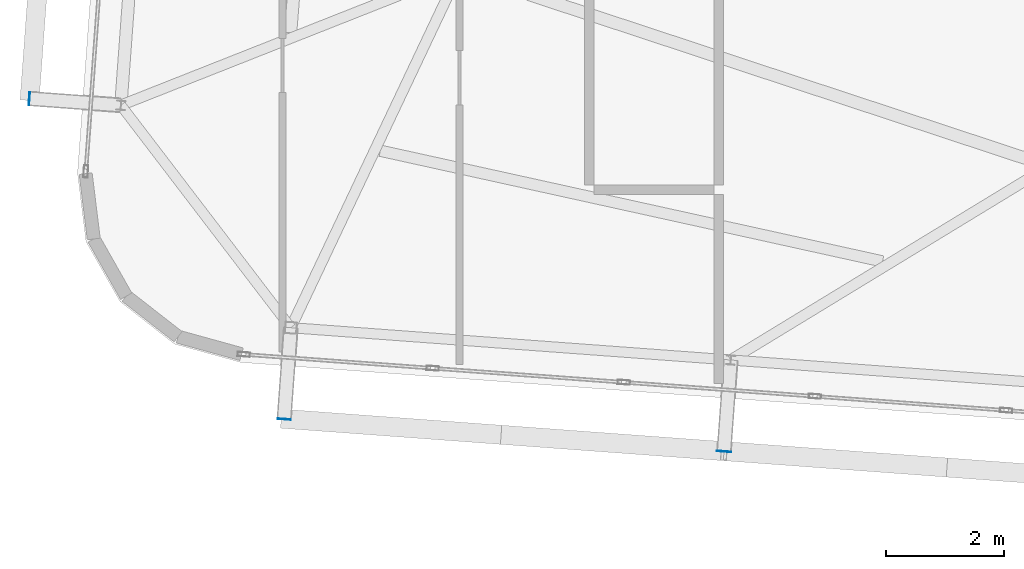
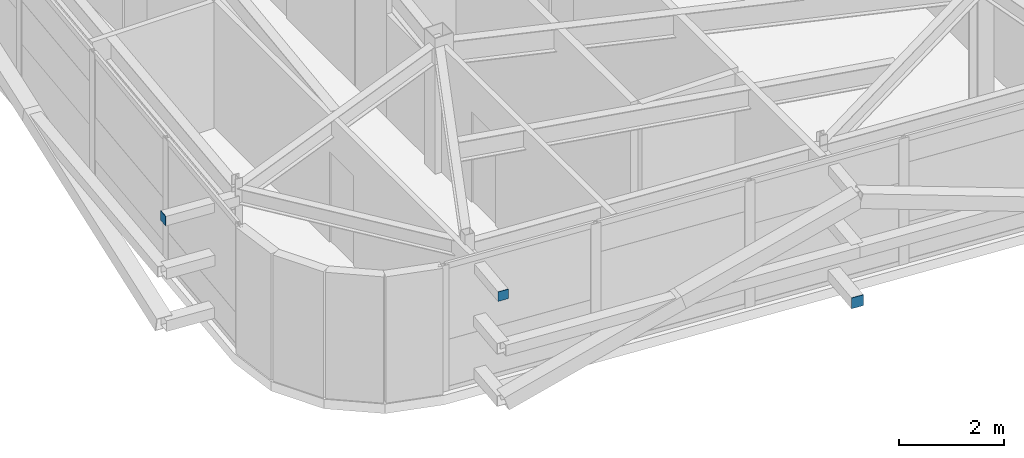
# One storey, part 31 of 42: 3 plates.
"""IFC4 building model written with IfcOpenShell, lengths in metres."""

import ifcopenshell
import ifcopenshell.guid

model = None  # the IFC model being written
_history = None  # IfcOwnerHistory: only IFC2X3 demands one
_inside = {}  # id of a spatial element -> (the spatial element, [elements in it])
_under = {}  # id of a project, library or spatial element -> (it, [spatial elements below it])
_declared = {}  # id of a project -> (the project, [libraries it declares])
_typed = {}  # id of a type object -> (the type object, [elements of that type])
_made_of = {}  # id of a material, layer set ... -> (it, [elements and type objects made of it])


def new_model(schema):
    """Start an empty IFC model of exactly this schema.

    Asked for "IFC4X3", IfcOpenShell would pick the latest addendum, in which some entities
    have other attributes; the version numbers below select the first issue.
    IFC2X3 requires an IfcOwnerHistory on every rooted entity: one is made here for all.
    """
    global model, _history
    if schema == "IFC4X3":
        model = ifcopenshell.file(schema_version=(4, 3, 0, 0))
    else:
        model = ifcopenshell.file(schema=schema)
    _inside.clear()
    _under.clear()
    _declared.clear()
    _typed.clear()
    _made_of.clear()
    _history = None
    if model.schema == "IFC2X3":
        org = make("IfcOrganization", Name="unknown")
        user = make(
            "IfcPersonAndOrganization",
            ThePerson=make("IfcPerson", FamilyName="unknown"),
            TheOrganization=org,
        )
        app = make(
            "IfcApplication",
            ApplicationDeveloper=org,
            Version="unknown",
            ApplicationFullName="unknown",
            ApplicationIdentifier="unknown",
        )
        _history = make(
            "IfcOwnerHistory",
            OwningUser=user,
            OwningApplication=app,
            ChangeAction="ADDED",
            CreationDate=0,
        )
    return model


def make(cls, **values):
    """One entity of the class cls with the attributes given. An attribute that is None is left unset."""
    return model.create_entity(
        cls, **{name: value for name, value in values.items() if value is not None}
    )


def rooted(cls, **values):
    """An entity with a GlobalId (a new one), such as an element, a storey or a relation."""
    return make(cls, GlobalId=ifcopenshell.guid.new(), OwnerHistory=_history, **values)


def si_unit(unit_type, name, prefix=None):
    """IfcSIUnit, for example si_unit("LENGTHUNIT", "METRE", prefix="MILLI")."""
    return make("IfcSIUnit", UnitType=unit_type, Prefix=prefix, Name=name)


def assignment(units):
    """IfcUnitAssignment: the units of a project."""
    return None if units is None else make("IfcUnitAssignment", Units=units)


def point(xyz):
    """IfcCartesianPoint."""
    return None if xyz is None else make("IfcCartesianPoint", Coordinates=xyz)


def direction(xyz):
    """IfcDirection."""
    return None if xyz is None else make("IfcDirection", DirectionRatios=xyz)


def frame(location, z_axis=None, x_axis=None):
    """IfcAxis2Placement3D, a coordinate frame: its origin and axes. An axis left out is left unset."""
    return make(
        "IfcAxis2Placement3D",
        Location=point(location),
        Axis=direction(z_axis),
        RefDirection=direction(x_axis),
    )


def frame_2d(location, x_axis=None):
    """IfcAxis2Placement2D, a coordinate frame in the plane: its origin and x axis."""
    return make(
        "IfcAxis2Placement2D", Location=point(location), RefDirection=direction(x_axis)
    )


def origin():
    """The frame at (0, 0, 0) with its axes left unset."""
    return frame((0.0, 0.0, 0.0))


def origin_2d():
    """The frame at (0, 0) in the plane with its x axis left unset."""
    return frame_2d((0.0, 0.0))


def place(relative_to, where):
    """IfcLocalPlacement: puts the frame where relative to a parent placement (None: the world)."""
    return make(
        "IfcLocalPlacement", PlacementRelTo=relative_to, RelativePlacement=where
    )


def context(
    kind, dimensions, precision=None, world=None, true_north=None, identifier=None
):
    """IfcGeometricRepresentationContext, for example the 3D "Model" context."""
    return make(
        "IfcGeometricRepresentationContext",
        ContextIdentifier=identifier,
        ContextType=kind,
        CoordinateSpaceDimension=dimensions,
        Precision=precision,
        WorldCoordinateSystem=world,
        TrueNorth=true_north,
    )


def subcontext(parent, identifier, kind, view, scale=None):
    """IfcGeometricRepresentationSubContext, for example "Body" below "Model"."""
    return make(
        "IfcGeometricRepresentationSubContext",
        ContextIdentifier=identifier,
        ContextType=kind,
        ParentContext=parent,
        TargetScale=scale,
        TargetView=view,
    )


def project(units=None, contexts=None):
    """IfcProject with its units and contexts."""
    return rooted(
        "IfcProject",
        Name="project",
        RepresentationContexts=contexts,
        UnitsInContext=assignment(units),
    )


def spatial(cls, under=None, at=None, **own):
    """A site, building, storey or space (cls), placed at a placement, below another one or the project."""
    s = rooted(cls, ObjectPlacement=at, **own)
    if under is not None:
        _under.setdefault(under.id(), (under, []))[1].append(s)
    return s


def profile(cls, at=None, kind="AREA", **sizes):
    """A parametric profile (cls). Its sizes go by their IFC names, for example OverallWidth=200.0."""
    return make(cls, ProfileType=kind, Position=at, **sizes)


def rectangle(**sizes):
    """IfcRectangleProfileDef."""
    return profile("IfcRectangleProfileDef", **sizes)


def extrude(swept, where, along, depth):
    """IfcExtrudedAreaSolid: the profile swept, set in the frame where, extruded along a direction by depth."""
    return make(
        "IfcExtrudedAreaSolid",
        SweptArea=swept,
        Position=where,
        ExtrudedDirection=direction(along),
        Depth=depth,
    )


def shape(context_of_items, identifier, shape_type, items):
    """IfcShapeRepresentation: the items that make up one representation, for example the "Body"."""
    return make(
        "IfcShapeRepresentation",
        ContextOfItems=context_of_items,
        RepresentationIdentifier=identifier,
        RepresentationType=shape_type,
        Items=items,
    )


def source(mapping_origin, context_of_items, identifier, shape_type, items):
    """IfcRepresentationMap: a shape defined once, which mapped items show again and again."""
    return make(
        "IfcRepresentationMap",
        MappingOrigin=mapping_origin,
        MappedRepresentation=shape(context_of_items, identifier, shape_type, items),
    )


def transform(
    local_origin,
    x_axis=None,
    y_axis=None,
    z_axis=None,
    scale=None,
    scale2=None,
    scale3=None,
    uniform=True,
):
    """IfcCartesianTransformationOperator3D, or its non-uniform kind. x_axis, y_axis, z_axis: its Axis1, 2, 3."""
    if uniform:
        return make(
            "IfcCartesianTransformationOperator3D",
            Axis1=direction(x_axis),
            Axis2=direction(y_axis),
            LocalOrigin=point(local_origin),
            Scale=scale,
            Axis3=direction(z_axis),
        )
    return make(
        "IfcCartesianTransformationOperator3DnonUniform",
        Axis1=direction(x_axis),
        Axis2=direction(y_axis),
        LocalOrigin=point(local_origin),
        Scale=scale,
        Axis3=direction(z_axis),
        Scale2=scale2,
        Scale3=scale3,
    )


def mapped(mapping_source, mapping_target):
    """IfcMappedItem: shows the shape of a source again, moved by a transform."""
    return make(
        "IfcMappedItem", MappingSource=mapping_source, MappingTarget=mapping_target
    )


def material(Name=None, Category=None):
    """IfcMaterial."""
    return make("IfcMaterial", Name=Name, Category=Category)


def layer(
    of_material, thickness, ventilated=None, Name=None, Category=None, Priority=None
):
    """IfcMaterialLayer: one layer of a wall or slab, of a material (None: an air gap)."""
    return make(
        "IfcMaterialLayer",
        Material=of_material,
        LayerThickness=thickness,
        IsVentilated=ventilated,
        Name=Name,
        Category=Category,
        Priority=Priority,
    )


def layer_set(layers, Name=None):
    """IfcMaterialLayerSet."""
    return make("IfcMaterialLayerSet", MaterialLayers=layers, LayerSetName=Name)


def made_of(thing, what):
    """Note that an element or type object is made of a material, layer set ...; save() writes the relation."""
    if what is not None:
        _made_of.setdefault(what.id(), (what, []))[1].append(thing)
    return thing


def type_object(cls, material=None, **own):
    """A type object (cls), such as IfcWallType, which elements share."""
    return made_of(rooted(cls, **own), material)


def element(
    cls,
    number,
    at=None,
    inside=None,
    cuts=None,
    type_object=None,
    material=None,
    context=None,
    identifier="Body",
    shape_type=None,
    held_by="IfcProductDefinitionShape",
    body=None,
    shapes=None,
    **own,
):
    """One element of the class cls, such as IfcWall. Its Tag is "e" and its number.

    at: its placement. inside: the storey or other place that contains it. cuts: it is an
    opening in that element (IfcRelVoidsElement). A single representation is given by context,
    identifier, shape_type and body (its items); several are given by shapes. held_by: the class
    of the entity that holds the representations. save() writes the other relations.
    """
    e = rooted(cls, Tag="e%d" % number, ObjectPlacement=at, **own)
    if body is not None:
        shapes = [shape(context, identifier, shape_type, body)]
    if shapes is not None:
        e.Representation = make(held_by, Representations=shapes)
    if inside is not None:
        _inside.setdefault(inside.id(), (inside, []))[1].append(e)
    if cuts is not None:
        rooted(
            "IfcRelVoidsElement", RelatingBuildingElement=cuts, RelatedOpeningElement=e
        )
    if type_object is not None:
        _typed.setdefault(type_object.id(), (type_object, []))[1].append(e)
    return made_of(e, material)


def aggregate(whole, parts):
    """IfcRelAggregates: a whole, such as a stair, and the parts it consists of."""
    return rooted("IfcRelAggregates", RelatingObject=whole, RelatedObjects=parts)


def save(model, path):
    """Write the relations noted so far, then the file.

    IfcRelAggregates (storeys below a building ...), IfcRelContainedInSpatialStructure (elements
    in a storey), IfcRelDefinesByType, IfcRelAssociatesMaterial and IfcRelDeclares: one each for
    every whole, place, type object, material and project.
    """
    for whole, parts in _under.values():
        aggregate(whole, parts)
    for where, things in _inside.values():
        rooted(
            "IfcRelContainedInSpatialStructure",
            RelatedElements=things,
            RelatingStructure=where,
        )
    for kind, things in _typed.values():
        rooted("IfcRelDefinesByType", RelatedObjects=things, RelatingType=kind)
    for what, things in _made_of.values():
        rooted("IfcRelAssociatesMaterial", RelatedObjects=things, RelatingMaterial=what)
    for by, libraries in _declared.values():
        rooted("IfcRelDeclares", RelatingContext=by, RelatedDefinitions=libraries)
    model.write(path)


model = new_model("IFC4")

# Units and contexts
model_context = context("Model", 3, precision=1e-05, world=origin(), true_north=direction((0.0, 1.0)))
body_context = subcontext(model_context, "Body", "Model", "MODEL_VIEW")
ifc_project = project(units=[si_unit("LENGTHUNIT", "METRE"), si_unit("AREAUNIT", "SQUARE_METRE"), si_unit("VOLUMEUNIT", "CUBIC_METRE"), si_unit("PLANEANGLEUNIT", "RADIAN"), si_unit("MASSUNIT", "GRAM", prefix="KILO")], contexts=[model_context])

# Site, building, storey
site_placement = place(None, origin())
site = spatial("IfcSite", under=ifc_project, at=site_placement, CompositionType="ELEMENT")
building_placement = place(site_placement, origin())
building = spatial("IfcBuilding", under=site, at=building_placement, Name="Taldren Reach Tower", CompositionType="ELEMENT")
storey_placement = place(building_placement, frame((0.0, 0.0, 224.0)))
storey = spatial("IfcBuildingStorey", under=building, at=storey_placement, Name="L68", CompositionType="ELEMENT", Elevation=224.0)

# Plates
ifc_material_1 = material(Name="Steel Gr 350 (C350L0)", Category="steel")
ifc_layer_1 = layer(ifc_material_1, 0.011962890625)
ifc_layer_set_1 = layer_set([ifc_layer_1], Name="Steel Gr 350 (C350L0)")
plate_type_1 = type_object("IfcPlateType", Name="PL-CAP-250", PredefinedType="SHEET", material=ifc_layer_set_1)
shared_shape_1 = source(origin(), body_context, "Body", "SweptSolid", [
    extrude(rectangle(XDim=0.25, YDim=0.011962890625, at=origin_2d()), origin(), (0.0, 0.0, 1.0), 0.25),
])
plate_1_placement = place(storey_placement, frame((22.486572265625, 4.360595703125, 0.094970703125), z_axis=(0.0, 0.0, 1.0), x_axis=(0.997314477224, -0.073238197128, 0.0)))
element("IfcPlate", 1, at=plate_1_placement, inside=storey, type_object=plate_type_1, Name="Tie strut end cap plate B5-S2 L68", PredefinedType="SHEET", context=body_context, shape_type="MappedRepresentation", body=[
    mapped(shared_shape_1, transform((0.0, 0.0, 0.0), scale=1.0)),
])
ifc_material_2 = material(Name="Steel Gr 450 (C450L0)", Category="steel")
ifc_layer_2 = layer(ifc_material_2, 0.011962890625)
ifc_layer_set_2 = layer_set([ifc_layer_2], Name="Steel Gr 450 (C450L0)")
plate_type_2 = type_object("IfcPlateType", Name="PL-CAP-220", PredefinedType="SHEET", material=ifc_layer_set_2)
shared_shape_2 = source(origin(), body_context, "Body", "SweptSolid", [
    extrude(rectangle(XDim=0.219970703125, YDim=0.011962890625, at=origin_2d()), origin(), (0.0, 0.0, 1.0), 0.219970703125),
])
plate_2_placement = place(storey_placement, frame((15.026611328125, 4.908447265625, 2.5400390625), z_axis=(0.0, 0.0, 1.0), x_axis=(0.997314477224, -0.073238197128, 0.0)))
element("IfcPlate", 2, at=plate_2_placement, inside=storey, type_object=plate_type_2, Name="Tie strut end cap plate B5-S1 L68", PredefinedType="SHEET", context=body_context, shape_type="MappedRepresentation", body=[
    mapped(shared_shape_2, transform((0.0, 0.0, 0.0), scale=1.0)),
])
shared_shape_3 = source(origin(), body_context, "Body", "SweptSolid", [
    extrude(rectangle(XDim=0.011962890625, YDim=0.219970703125, at=origin_2d()), origin(), (0.0, 0.0, 1.0), 0.219970703125),
])
plate_3_placement = place(storey_placement, frame((10.707275390625, 10.345458984375, 2.5400390625), z_axis=(0.0, 0.0, 1.0), x_axis=(0.997314477224, -0.073238197128, 0.0)))
element("IfcPlate", 3, at=plate_3_placement, inside=storey, type_object=plate_type_2, Name="Tie strut end cap plate B5-W1 L68", PredefinedType="SHEET", context=body_context, shape_type="MappedRepresentation", body=[
    mapped(shared_shape_3, transform((0.0, 0.0, 0.0), scale=1.0)),
])

save(model, "model.ifc")
